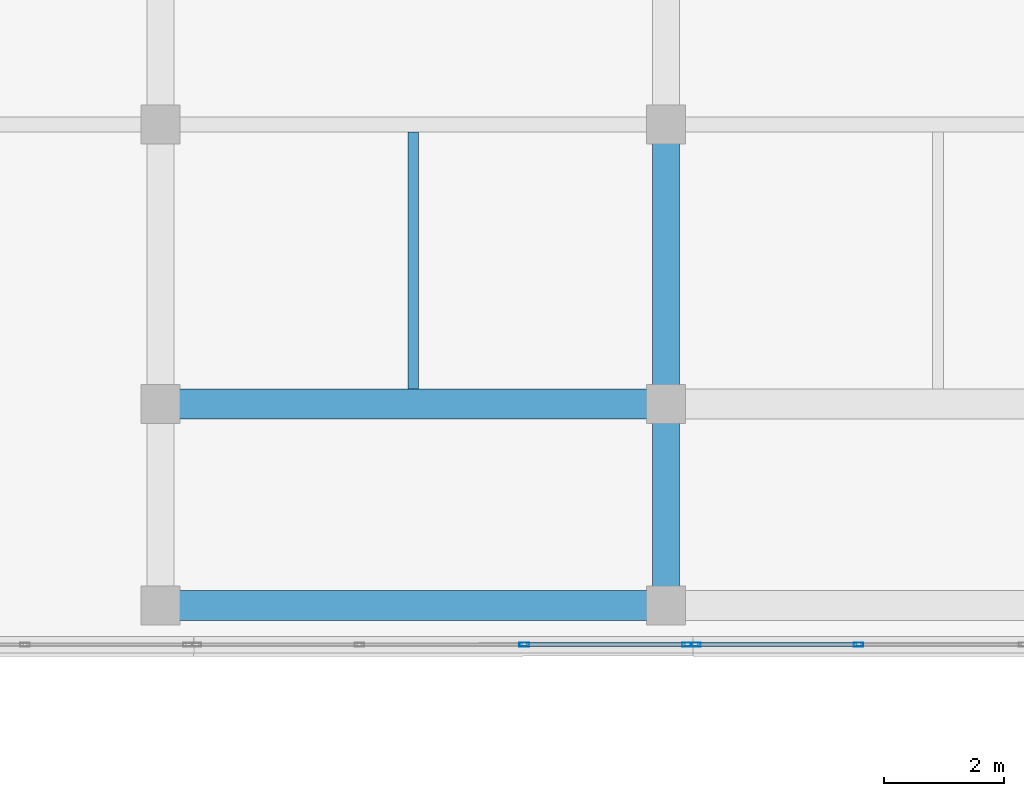
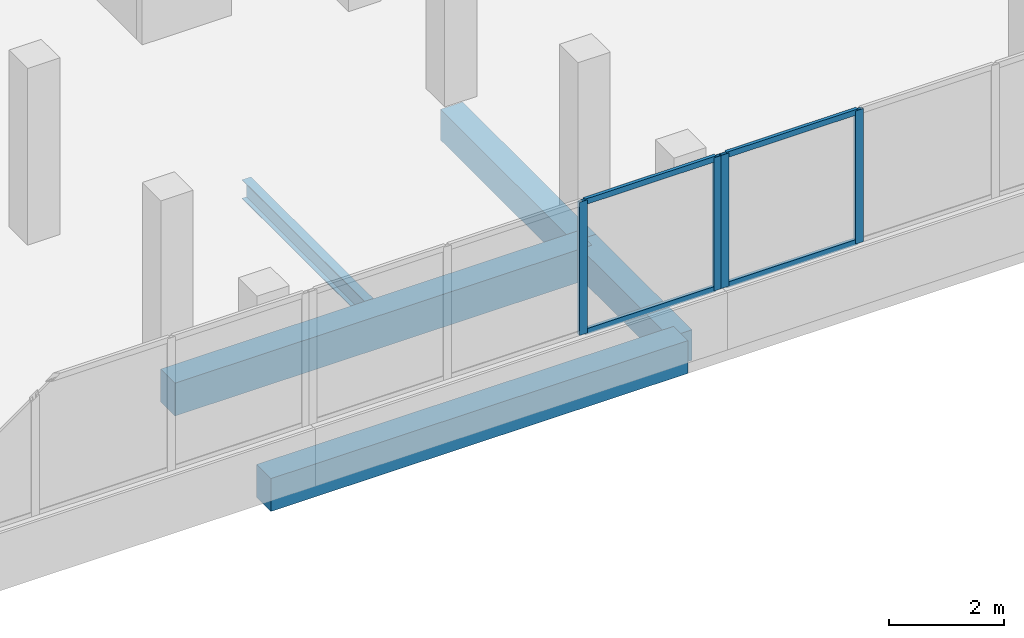
# One storey, part 40 of 78: 8 members, 5 beams, 2 elements without a shape of their own.
"""IFC4 building model written with IfcOpenShell, lengths in metres."""

from ifc_helpers import new_model, si_unit, direction, frame, origin, origin_2d, place, context, subcontext, project, spatial, rectangle, hollow_rectangle, i_section, extrude, material, material_profile, profile_set, type_object, element, aggregate, save


model = new_model("IFC4")

# Units and contexts
model_context = context("Model", 3, precision=1e-05, world=origin(), true_north=direction((0.0, 1.0)))
body_context = subcontext(model_context, "Body", "Model", "MODEL_VIEW")
ifc_project = project(units=[si_unit("LENGTHUNIT", "METRE"), si_unit("AREAUNIT", "SQUARE_METRE"), si_unit("VOLUMEUNIT", "CUBIC_METRE"), si_unit("PLANEANGLEUNIT", "RADIAN"), si_unit("MASSUNIT", "GRAM", prefix="KILO")], contexts=[model_context])

# Site, building, storey
site_placement = place(None, origin())
site = spatial("IfcSite", under=ifc_project, at=site_placement, CompositionType="ELEMENT")
building_placement = place(site_placement, origin())
building = spatial("IfcBuilding", under=site, at=building_placement, Name="Selatvlak General Hospital", CompositionType="ELEMENT")
storey_placement = place(building_placement, frame((0.0, 0.0, 23.25)))
storey = spatial("IfcBuildingStorey", under=building, at=storey_placement, Name="L05", CompositionType="ELEMENT", Elevation=23.25)

# Beams
ifc_material_1 = material(Name="Concrete C40/50", Category="concrete")
ifc_material_profile_1 = material_profile(ifc_material_1, rectangle(XDim=0.5, YDim=0.699951171875, at=origin_2d()), Name="RC-BM 500x700")
ifc_profile_set_1 = profile_set([ifc_material_profile_1], Name="Concrete C40/50")
beam_type_1 = type_object("IfcBeamType", Name="BM-G03", PredefinedType="BEAM", material=ifc_profile_set_1)
for number, where, z_axis, x_axis, name in (
    (1, (156.550048828125, 64.64990234375, -0.6298828125), (1.0, 0.0, 0.0), (0.0, 1.0, 0.0), "Beam BMR-L05-1853"),
    (2, (156.550048828125, 68.0, -0.6298828125), (1.0, 0.0, 0.0), (0.0, 1.0, 0.0), "Beam BMR-L05-1860"),
):
    element("IfcBeam", number, at=place(storey_placement, frame(where, z_axis=z_axis, x_axis=x_axis)), inside=storey, type_object=beam_type_1, Name=name, PredefinedType="BEAM", context=body_context, shape_type="SweptSolid", body=[
        extrude(rectangle(XDim=0.5, YDim=0.699951171875, at=origin_2d()), origin(), (0.0, 0.0, 1.0), 8.39990234375),
    ])
ifc_material_profile_2 = material_profile(ifc_material_1, rectangle(XDim=0.449951171875, YDim=0.64990234375, at=origin_2d()), Name="RC-BM 450x650")
ifc_profile_set_2 = profile_set([ifc_material_profile_2], Name="Concrete C40/50")
beam_type_2 = type_object("IfcBeamType", Name="BM-G04", PredefinedType="BEAM", material=ifc_profile_set_2)
beam_1_placement = place(storey_placement, frame((164.949951171875, 64.64990234375, -0.60498046875), z_axis=(0.0, 1.0, 0.0), x_axis=(-1.0, 0.0, 0.0)))
element("IfcBeam", 3, at=beam_1_placement, inside=storey, type_object=beam_type_2, Name="Beam BMR-L05-2088", PredefinedType="BEAM", context=body_context, shape_type="SweptSolid", body=[
    extrude(rectangle(XDim=0.449951171875, YDim=0.64990234375, at=origin_2d()), origin(), (0.0, 0.0, 1.0), 3.35009765625),
])
beam_2_placement = place(storey_placement, frame((164.949951171875, 68.0, -0.60498046875), z_axis=(0.0, 1.0, 0.0), x_axis=(-1.0, 0.0, 0.0)))
element("IfcBeam", 4, at=beam_2_placement, inside=storey, type_object=beam_type_2, Name="Beam BMR-L05-2089", PredefinedType="BEAM", context=body_context, shape_type="SweptSolid", body=[
    extrude(rectangle(XDim=0.449951171875, YDim=0.64990234375, at=origin_2d()), origin(), (0.0, 0.0, 1.0), 4.64990234375),
])
ifc_material_2 = material(Name="Steel S355", Category="steel")
ifc_material_profile_3 = material_profile(ifc_material_2, i_section(OverallWidth=0.177978515625, OverallDepth=0.406494140625, WebThickness=0.0078125, FlangeThickness=0.0126953125, at=origin_2d()), Name="UB 406x178x60")
ifc_profile_set_3 = profile_set([ifc_material_profile_3], Name="Steel S355")
beam_type_3 = type_object("IfcBeamType", Name="BM-J04", PredefinedType="JOIST", material=ifc_profile_set_3)
beam_3_placement = place(storey_placement, frame((160.75, 68.25, -0.48291015625), z_axis=(0.0, 1.0, 0.0), x_axis=(-1.0, 0.0, 0.0)))
element("IfcBeam", 5, at=beam_3_placement, inside=storey, type_object=beam_type_3, Name="Beam BMR-L05-2115", PredefinedType="JOIST", context=body_context, shape_type="SweptSolid", body=[
    extrude(i_section(OverallWidth=0.177978515625, OverallDepth=0.406494140625, WebThickness=0.0078125, FlangeThickness=0.0126953125, at=origin_2d()), origin(), (0.0, 0.0, 1.0), 4.27490234375),
])

# Curtain wall, members
ifc_material_3 = material(Name="Solar-control Low-E double glazing", Category="glass")
curtain_wall_type_1 = type_object("IfcCurtainWallType", Name="CW-CW-02", PredefinedType="USERDEFINED", material=ifc_material_3)
curtain_wall_1_placement = place(storey_placement, origin())
curtain_wall_1 = element("IfcCurtainWall", 6, at=curtain_wall_1_placement, inside=storey, type_object=curtain_wall_type_1, Name="Glazed facade curtain wall CW-L05-0574", ObjectType="UNITISED CURTAIN WALL", PredefinedType="USERDEFINED")
ifc_material_4 = material(Name="Dark anodised aluminium mullion", Category="aluminium")
ifc_material_profile_4 = material_profile(ifc_material_4, hollow_rectangle(XDim=0.06494140625, YDim=0.159912109375, WallThickness=0.00390625, at=origin_2d()), Name="AL-MUL 65x160x4")
ifc_profile_set_4 = profile_set([ifc_material_profile_4], Name="Dark anodised aluminium mullion")
member_type_1 = type_object("IfcMemberType", Name="CWM-01", PredefinedType="MULLION", material=ifc_profile_set_4)
member_1_placement = place(storey_placement, frame((168.155029296875, 64.0009765625, 0.93994140625), z_axis=(0.0, 0.0, 1.0), x_axis=(0.0, -1.0, 0.0)))
member_1 = element("IfcMember", 7, at=member_1_placement, type_object=member_type_1, Name="CW-02 mullion 3", PredefinedType="MULLION", context=body_context, shape_type="SweptSolid", body=[
    extrude(hollow_rectangle(XDim=0.06494140625, YDim=0.159912109375, WallThickness=0.00390625, at=origin_2d()), origin(), (0.0, 0.0, 1.0), 2.8349609375),
])
member_2_placement = place(storey_placement, frame((165.447509765625, 64.0009765625, 0.93994140625), z_axis=(0.0, 0.0, 1.0), x_axis=(0.0, -1.0, 0.0)))
member_2 = element("IfcMember", 8, at=member_2_placement, type_object=member_type_1, Name="CW-02 mullion 4", PredefinedType="MULLION", context=body_context, shape_type="SweptSolid", body=[
    extrude(hollow_rectangle(XDim=0.06494140625, YDim=0.159912109375, WallThickness=0.00390625, at=origin_2d()), origin(), (0.0, 0.0, 1.0), 2.8349609375),
])

curtain_wall_type_2 = type_object("IfcCurtainWallType", Name="CW-CW-01", PredefinedType="USERDEFINED", material=ifc_material_3)
curtain_wall_2_placement = place(storey_placement, origin())
curtain_wall_2 = element("IfcCurtainWall", 9, at=curtain_wall_2_placement, inside=storey, type_object=curtain_wall_type_2, Name="Glazed facade curtain wall CW-L05-0575", ObjectType="UNITISED CURTAIN WALL", PredefinedType="USERDEFINED")
member_3_placement = place(storey_placement, frame((165.302490234375, 64.0009765625, 0.93994140625), z_axis=(0.0, 0.0, 1.0), x_axis=(0.00012166931, -0.999999992598, 0.0)))
member_3 = element("IfcMember", 10, at=member_3_placement, type_object=member_type_1, Name="CW-01 mullion 1", PredefinedType="MULLION", context=body_context, shape_type="SweptSolid", body=[
    extrude(hollow_rectangle(XDim=0.06494140625, YDim=0.159912109375, WallThickness=0.00390625, at=origin_2d()), origin(), (0.0, 0.0, 1.0), 2.8349609375),
])
member_4_placement = place(storey_placement, frame((162.59521484375, 64.000732421875, 0.93994140625), z_axis=(0.0, 0.0, 1.0), x_axis=(0.00012166931, -0.999999992598, 0.0)))
member_4 = element("IfcMember", 11, at=member_4_placement, type_object=member_type_1, Name="CW-01 mullion 2", PredefinedType="MULLION", context=body_context, shape_type="SweptSolid", body=[
    extrude(hollow_rectangle(XDim=0.06494140625, YDim=0.159912109375, WallThickness=0.00390625, at=origin_2d()), origin(), (0.0, 0.0, 1.0), 2.8349609375),
])

# Member
ifc_material_profile_5 = material_profile(ifc_material_4, hollow_rectangle(XDim=0.06494140625, YDim=0.1201171875, WallThickness=0.00390625, at=origin_2d()), Name="AL-TRN 65x120x4")
ifc_profile_set_5 = profile_set([ifc_material_profile_5], Name="Dark anodised aluminium mullion")
member_type_2 = type_object("IfcMemberType", Name="CWT-01", PredefinedType="USERDEFINED", material=ifc_profile_set_5)
member_5_placement = place(storey_placement, frame((168.12255859375, 64.0009765625, 0.972412109375), z_axis=(-1.0, 0.0, 0.0), x_axis=(0.0, -1.0, 0.0)))
member_5 = element("IfcMember", 12, at=member_5_placement, type_object=member_type_2, Name="CW-02 transom 3.1", ObjectType="TRANSOM", PredefinedType="USERDEFINED", context=body_context, shape_type="SweptSolid", body=[
    extrude(hollow_rectangle(XDim=0.06494140625, YDim=0.1201171875, WallThickness=0.00390625, at=origin_2d()), origin(), (0.0, 0.0, 1.0), 2.642578125),
])

member_6_placement = place(storey_placement, frame((168.12255859375, 64.0009765625, 3.742431640625), z_axis=(-1.0, 0.0, 0.0), x_axis=(0.0, -1.0, 0.0)))
member_6 = element("IfcMember", 13, at=member_6_placement, type_object=member_type_2, Name="CW-02 transom 3.2", ObjectType="TRANSOM", PredefinedType="USERDEFINED", context=body_context, shape_type="SweptSolid", body=[
    extrude(hollow_rectangle(XDim=0.06494140625, YDim=0.1201171875, WallThickness=0.00390625, at=origin_2d()), origin(), (0.0, 0.0, 1.0), 2.642578125),
])

aggregate(curtain_wall_1, [member_1, member_2, member_5, member_6])

member_7_placement = place(storey_placement, frame((165.27001953125, 64.0009765625, 0.972412109375), z_axis=(-0.999999995731, -9.2404361e-05, 0.0), x_axis=(9.2404361e-05, -0.999999995731, 0.0)))
member_7 = element("IfcMember", 14, at=member_7_placement, type_object=member_type_2, Name="CW-01 transom 1.1", ObjectType="TRANSOM", PredefinedType="USERDEFINED", context=body_context, shape_type="SweptSolid", body=[
    extrude(hollow_rectangle(XDim=0.06494140625, YDim=0.1201171875, WallThickness=0.00390625, at=origin_2d()), origin(), (0.0, 0.0, 1.0), 2.64208984375),
])

member_8_placement = place(storey_placement, frame((165.27001953125, 64.0009765625, 3.742431640625), z_axis=(-0.999999995731, -9.2404361e-05, 0.0), x_axis=(9.2404361e-05, -0.999999995731, 0.0)))
member_8 = element("IfcMember", 15, at=member_8_placement, type_object=member_type_2, Name="CW-01 transom 1.2", ObjectType="TRANSOM", PredefinedType="USERDEFINED", context=body_context, shape_type="SweptSolid", body=[
    extrude(hollow_rectangle(XDim=0.06494140625, YDim=0.1201171875, WallThickness=0.00390625, at=origin_2d()), origin(), (0.0, 0.0, 1.0), 2.64208984375),
])

aggregate(curtain_wall_2, [member_3, member_4, member_7, member_8])

save(model, "model.ifc")
